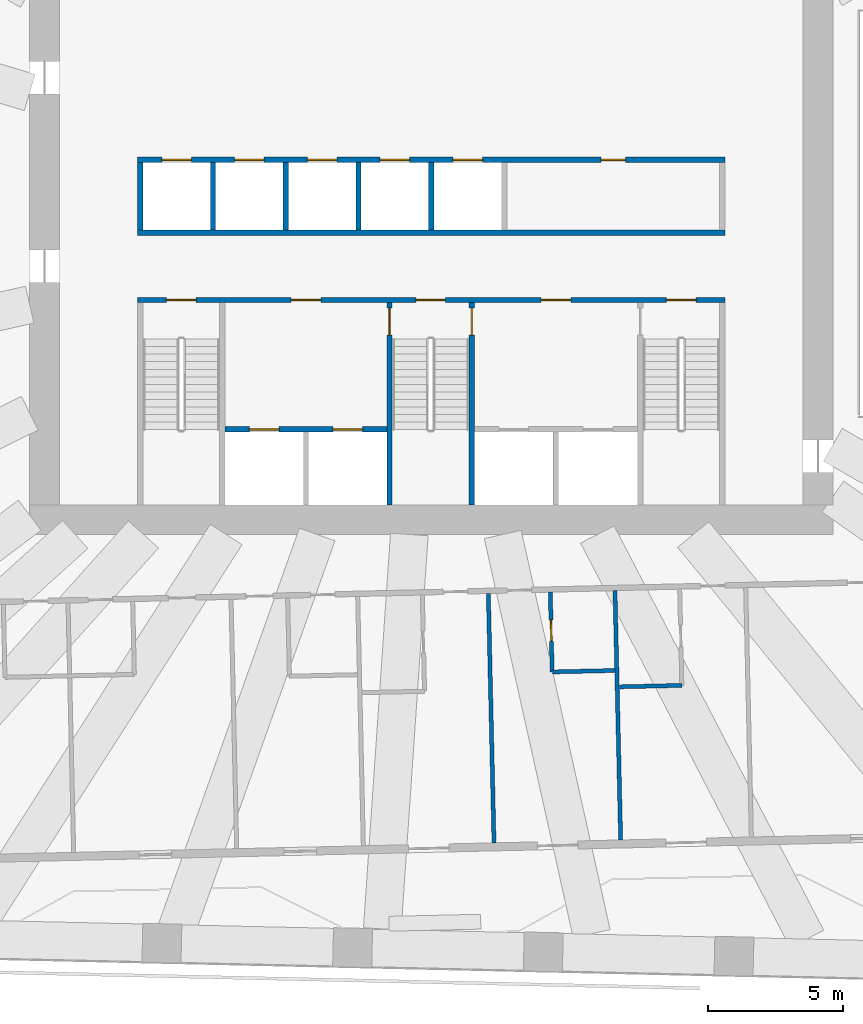
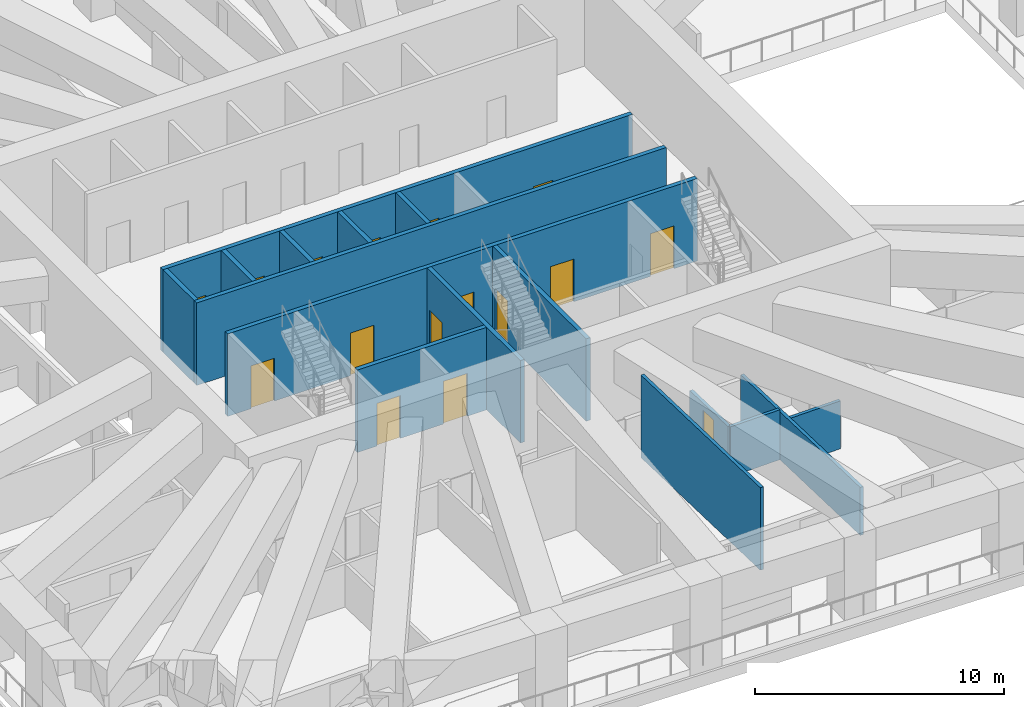
# One storey, part 11 of 20: 16 doors, 16 walls, 16 openings.
"""IFC4 building model written with IfcOpenShell, lengths in metres."""

from ifc_helpers import new_model, si_unit, direction, frame, frame_2d, origin, place, context, subcontext, project, spatial, rectangle, extrude, material, layer, layer_set, type_object, element, fill, save


model = new_model("IFC4")

# Units and contexts
model_context = context("Model", 3, precision=1e-05, world=origin(), true_north=direction((0.0, 1.0)))
body_context = subcontext(model_context, "Body", "Model", "MODEL_VIEW")
ifc_project = project(units=[si_unit("LENGTHUNIT", "METRE"), si_unit("AREAUNIT", "SQUARE_METRE"), si_unit("VOLUMEUNIT", "CUBIC_METRE"), si_unit("PLANEANGLEUNIT", "RADIAN"), si_unit("MASSUNIT", "GRAM", prefix="KILO")], contexts=[model_context])

# Site, building, storey
site_placement = place(None, origin())
site = spatial("IfcSite", under=ifc_project, at=site_placement, CompositionType="ELEMENT")
building_placement = place(site_placement, origin())
building = spatial("IfcBuilding", under=site, at=building_placement, Name="Mangrove Gate Tower", CompositionType="ELEMENT")
storey_placement = place(building_placement, frame((0.0, 0.0, 74.699951171875)))
storey = spatial("IfcBuildingStorey", under=building, at=storey_placement, Name="L18", CompositionType="ELEMENT", Elevation=74.699951171875)

# Wall
ifc_material_1 = material(Name="Concrete C70/85", Category="concrete")
ifc_layer_1 = layer(ifc_material_1, 0.199951171875)
ifc_layer_set_1 = layer_set([ifc_layer_1], Name="Core shaft wall 200 C70/85")
wall_type_1 = type_object("IfcWallType", Name="Core shaft wall 200 C70/85", PredefinedType="SHEAR", material=ifc_layer_set_1)
wall_1_placement = place(storey_placement, frame((-10.89990234375, -0.699951171875, 0.0), z_axis=(0.0, 0.0, 1.0), x_axis=(1.0, 0.0, 0.0)))
element("IfcWall", 1, at=wall_1_placement, inside=storey, type_object=wall_type_1, Name="WALL-L18-CORE-6", PredefinedType="SHEAR", context=body_context, shape_type="SweptSolid", body=[
    extrude(rectangle(XDim=21.7998046875, YDim=0.199951171875, at=frame_2d((10.89990234375, 0.0))), origin(), (0.0, 0.0, 1.0), 4.050048828125),
])

# Wall, openings, doors
wall_2_placement = place(storey_placement, frame((-10.89990234375, 2.0, 0.0), z_axis=(0.0, 0.0, 1.0), x_axis=(1.0, 0.0, 0.0)))
wall_2 = element("IfcWall", 2, at=wall_2_placement, inside=storey, type_object=wall_type_1, Name="WALL-L18-CORE-7", PredefinedType="SHEAR", context=body_context, shape_type="SweptSolid", body=[
    extrude(rectangle(XDim=21.7998046875, YDim=0.199951171875, at=frame_2d((10.89990234375, 0.0))), origin(), (0.0, 0.0, 1.0), 4.050048828125),
])
opening_1_placement = place(wall_2_placement, frame((0.89990234375, 0.0, 0.0)))
opening_1 = element("IfcOpeningElement", 3, at=opening_1_placement, cuts=wall_2, Name="Opening LD", PredefinedType="OPENING", context=body_context, shape_type="SweptSolid", body=[
    extrude(rectangle(XDim=1.10009765625, YDim=2.10009765625, at=frame_2d((0.550048828125, 1.050048828125))), frame((0.0, 0.10986328125, 0.0), z_axis=(0.0, -1.0, 0.0), x_axis=(1.0, 0.0, 0.0)), (0.0, 0.0, 1.0), 0.219970703125),
])
opening_2_placement = place(wall_2_placement, frame((3.60009765625, 0.0, 0.0)))
opening_2 = element("IfcOpeningElement", 4, at=opening_2_placement, cuts=wall_2, Name="Opening LD", PredefinedType="OPENING", context=body_context, shape_type="SweptSolid", body=[
    extrude(rectangle(XDim=1.10009765625, YDim=2.10009765625, at=frame_2d((0.550048828125, 1.050048828125))), frame((0.0, 0.10986328125, 0.0), z_axis=(0.0, -1.0, 0.0), x_axis=(1.0, 0.0, 0.0)), (0.0, 0.0, 1.0), 0.219970703125),
])
opening_3_placement = place(wall_2_placement, frame((6.300048828125, 0.0, 0.0)))
opening_3 = element("IfcOpeningElement", 5, at=opening_3_placement, cuts=wall_2, Name="Opening LD", PredefinedType="OPENING", context=body_context, shape_type="SweptSolid", body=[
    extrude(rectangle(XDim=1.10009765625, YDim=2.10009765625, at=frame_2d((0.550048828125, 1.050048828125))), frame((0.0, 0.10986328125, 0.0), z_axis=(0.0, -1.0, 0.0), x_axis=(1.0, 0.0, 0.0)), (0.0, 0.0, 1.0), 0.219970703125),
])
opening_4_placement = place(wall_2_placement, frame((9.0, 0.0, 0.0)))
opening_4 = element("IfcOpeningElement", 6, at=opening_4_placement, cuts=wall_2, Name="Opening LD", PredefinedType="OPENING", context=body_context, shape_type="SweptSolid", body=[
    extrude(rectangle(XDim=1.10009765625, YDim=2.10009765625, at=frame_2d((0.550048828125, 1.050048828125))), frame((0.0, 0.10986328125, 0.0), z_axis=(0.0, -1.0, 0.0), x_axis=(1.0, 0.0, 0.0)), (0.0, 0.0, 1.0), 0.219970703125),
])
opening_5_placement = place(wall_2_placement, frame((11.699951171875, 0.0, 0.0)))
opening_5 = element("IfcOpeningElement", 7, at=opening_5_placement, cuts=wall_2, Name="Opening LD", PredefinedType="OPENING", context=body_context, shape_type="SweptSolid", body=[
    extrude(rectangle(XDim=1.10009765625, YDim=2.10009765625, at=frame_2d((0.550048828125, 1.050048828125))), frame((0.0, 0.10986328125, 0.0), z_axis=(0.0, -1.0, 0.0), x_axis=(1.0, 0.0, 0.0)), (0.0, 0.0, 1.0), 0.219970703125),
])
opening_6_placement = place(wall_2_placement, frame((17.199951171875, 0.0, 0.0)))
opening_6 = element("IfcOpeningElement", 8, at=opening_6_placement, cuts=wall_2, Name="Opening KD", PredefinedType="OPENING", context=body_context, shape_type="SweptSolid", body=[
    extrude(rectangle(XDim=0.89990234375, YDim=2.10009765625, at=frame_2d((0.449951171875, 1.050048828125))), frame((0.0, 0.10986328125, 0.0), z_axis=(0.0, -1.0, 0.0), x_axis=(1.0, 0.0, 0.0)), (0.0, 0.0, 1.0), 0.219970703125),
])
ifc_material_2 = material(Name="Fire-rated steel door set", Category="steel")
door_type_1 = type_object("IfcDoorType", Name="Core room door FD30S 900x2100", OperationType="SINGLE_SWING_RIGHT", PredefinedType="DOOR", material=ifc_material_2)
door_1_placement = place(opening_6_placement, origin())
door_1 = element("IfcDoor", 9, at=door_1_placement, inside=storey, type_object=door_type_1, Name="Core room door Core WC", OperationType="SINGLE_SWING_RIGHT", OverallHeight=2.10009765625, OverallWidth=0.89990234375, PredefinedType="DOOR", context=body_context, shape_type="SweptSolid", body=[
    extrude(rectangle(XDim=0.89990234375, YDim=2.10009765625, at=frame_2d((0.449951171875, 1.050048828125))), frame((0.0, 0.02490234375, 0.0), z_axis=(0.0, -1.0, 0.0), x_axis=(1.0, 0.0, 0.0)), (0.0, 0.0, 1.0), 0.050048828125),
])
fill(opening_6, door_1)
ifc_material_3 = material(Name="Stainless steel 316", Category="steel")
door_type_2 = type_object("IfcDoorType", Name="Lift landing door 1100x2100", OperationType="SLIDING_TO_LEFT", PredefinedType="DOOR", material=ifc_material_3)
door_2_placement = place(opening_1_placement, origin())
door_2 = element("IfcDoor", 10, at=door_2_placement, inside=storey, type_object=door_type_2, Name="Landing door LD P01", OperationType="SLIDING_TO_LEFT", OverallHeight=2.10009765625, OverallWidth=1.10009765625, PredefinedType="DOOR", context=body_context, shape_type="SweptSolid", body=[
    extrude(rectangle(XDim=1.10009765625, YDim=2.10009765625, at=frame_2d((0.550048828125, 1.050048828125))), frame((0.0, 0.02490234375, 0.0), z_axis=(0.0, -1.0, 0.0), x_axis=(1.0, 0.0, 0.0)), (0.0, 0.0, 1.0), 0.050048828125),
])
fill(opening_1, door_2)
door_3_placement = place(opening_2_placement, origin())
door_3 = element("IfcDoor", 11, at=door_3_placement, inside=storey, type_object=door_type_2, Name="Landing door LD P02", OperationType="SLIDING_TO_LEFT", OverallHeight=2.10009765625, OverallWidth=1.10009765625, PredefinedType="DOOR", context=body_context, shape_type="SweptSolid", body=[
    extrude(rectangle(XDim=1.10009765625, YDim=2.10009765625, at=frame_2d((0.550048828125, 1.050048828125))), frame((0.0, 0.02490234375, 0.0), z_axis=(0.0, -1.0, 0.0), x_axis=(1.0, 0.0, 0.0)), (0.0, 0.0, 1.0), 0.050048828125),
])
fill(opening_2, door_3)
door_4_placement = place(opening_3_placement, origin())
door_4 = element("IfcDoor", 12, at=door_4_placement, inside=storey, type_object=door_type_2, Name="Landing door LD P03", OperationType="SLIDING_TO_LEFT", OverallHeight=2.10009765625, OverallWidth=1.10009765625, PredefinedType="DOOR", context=body_context, shape_type="SweptSolid", body=[
    extrude(rectangle(XDim=1.10009765625, YDim=2.10009765625, at=frame_2d((0.550048828125, 1.050048828125))), frame((0.0, 0.02490234375, 0.0), z_axis=(0.0, -1.0, 0.0), x_axis=(1.0, 0.0, 0.0)), (0.0, 0.0, 1.0), 0.050048828125),
])
fill(opening_3, door_4)
door_5_placement = place(opening_4_placement, origin())
door_5 = element("IfcDoor", 13, at=door_5_placement, inside=storey, type_object=door_type_2, Name="Landing door LD P04", OperationType="SLIDING_TO_LEFT", OverallHeight=2.10009765625, OverallWidth=1.10009765625, PredefinedType="DOOR", context=body_context, shape_type="SweptSolid", body=[
    extrude(rectangle(XDim=1.10009765625, YDim=2.10009765625, at=frame_2d((0.550048828125, 1.050048828125))), frame((0.0, 0.02490234375, 0.0), z_axis=(0.0, -1.0, 0.0), x_axis=(1.0, 0.0, 0.0)), (0.0, 0.0, 1.0), 0.050048828125),
])
fill(opening_4, door_5)
door_6_placement = place(opening_5_placement, origin())
door_6 = element("IfcDoor", 14, at=door_6_placement, inside=storey, type_object=door_type_2, Name="Landing door LD P05", OperationType="SLIDING_TO_LEFT", OverallHeight=2.10009765625, OverallWidth=1.10009765625, PredefinedType="DOOR", context=body_context, shape_type="SweptSolid", body=[
    extrude(rectangle(XDim=1.10009765625, YDim=2.10009765625, at=frame_2d((0.550048828125, 1.050048828125))), frame((0.0, 0.02490234375, 0.0), z_axis=(0.0, -1.0, 0.0), x_axis=(1.0, 0.0, 0.0)), (0.0, 0.0, 1.0), 0.050048828125),
])
fill(opening_5, door_6)

wall_3_placement = place(storey_placement, frame((-7.64990234375, -8.0, 0.0), z_axis=(0.0, 0.0, 1.0), x_axis=(1.0, 0.0, 0.0)))
wall_3 = element("IfcWall", 15, at=wall_3_placement, inside=storey, type_object=wall_type_1, Name="WALL-L18-CORE-15", PredefinedType="SHEAR", context=body_context, shape_type="SweptSolid", body=[
    extrude(rectangle(XDim=6.0, YDim=0.199951171875, at=frame_2d((3.0, 0.0))), origin(), (0.0, 0.0, 1.0), 4.050048828125),
])
opening_7_placement = place(wall_3_placement, frame((0.89990234375, 0.0, 0.0)))
opening_7 = element("IfcOpeningElement", 16, at=opening_7_placement, cuts=wall_3, Name="Opening LD", PredefinedType="OPENING", context=body_context, shape_type="SweptSolid", body=[
    extrude(rectangle(XDim=1.10009765625, YDim=2.10009765625, at=frame_2d((0.550048828125, 1.050048828125))), frame((0.0, 0.10986328125, 0.0), z_axis=(0.0, -1.0, 0.0), x_axis=(1.0, 0.0, 0.0)), (0.0, 0.0, 1.0), 0.219970703125),
])
opening_8_placement = place(wall_3_placement, frame((4.0, 0.0, 0.0)))
opening_8 = element("IfcOpeningElement", 17, at=opening_8_placement, cuts=wall_3, Name="Opening LD", PredefinedType="OPENING", context=body_context, shape_type="SweptSolid", body=[
    extrude(rectangle(XDim=1.10009765625, YDim=2.10009765625, at=frame_2d((0.550048828125, 1.050048828125))), frame((0.0, 0.10986328125, 0.0), z_axis=(0.0, -1.0, 0.0), x_axis=(1.0, 0.0, 0.0)), (0.0, 0.0, 1.0), 0.219970703125),
])
door_7_placement = place(opening_7_placement, origin())
door_7 = element("IfcDoor", 18, at=door_7_placement, inside=storey, type_object=door_type_2, Name="Landing door LD SVL1", OperationType="SLIDING_TO_LEFT", OverallHeight=2.10009765625, OverallWidth=1.10009765625, PredefinedType="DOOR", context=body_context, shape_type="SweptSolid", body=[
    extrude(rectangle(XDim=1.10009765625, YDim=2.10009765625, at=frame_2d((0.550048828125, 1.050048828125))), frame((0.0, 0.02490234375, 0.0), z_axis=(0.0, -1.0, 0.0), x_axis=(1.0, 0.0, 0.0)), (0.0, 0.0, 1.0), 0.050048828125),
])
fill(opening_7, door_7)
door_8_placement = place(opening_8_placement, origin())
door_8 = element("IfcDoor", 19, at=door_8_placement, inside=storey, type_object=door_type_2, Name="Landing door LD SVL2", OperationType="SLIDING_TO_LEFT", OverallHeight=2.10009765625, OverallWidth=1.10009765625, PredefinedType="DOOR", context=body_context, shape_type="SweptSolid", body=[
    extrude(rectangle(XDim=1.10009765625, YDim=2.10009765625, at=frame_2d((0.550048828125, 1.050048828125))), frame((0.0, 0.02490234375, 0.0), z_axis=(0.0, -1.0, 0.0), x_axis=(1.0, 0.0, 0.0)), (0.0, 0.0, 1.0), 0.050048828125),
])
fill(opening_8, door_8)

# Walls
for number, where, z_axis, x_axis, name in (
    (20, (-10.800048828125, -0.60009765625, 0.0), (0.0, 0.0, 1.0), (0.0, 1.0, 0.0), "WALL-L18-CORE-19"),
    (21, (-8.10009765625, -0.60009765625, 0.0), (0.0, 0.0, 1.0), (0.0, 1.0, 0.0), "WALL-L18-CORE-20"),
    (22, (-5.39990234375, -0.60009765625, 0.0), (0.0, 0.0, 1.0), (0.0, 1.0, 0.0), "WALL-L18-CORE-21"),
    (23, (-2.699951171875, -0.60009765625, 0.0), (0.0, 0.0, 1.0), (0.0, 1.0, 0.0), "WALL-L18-CORE-22"),
    (24, (0.0, -0.60009765625, 0.0), (0.0, 0.0, 1.0), (0.0, 1.0, 0.0), "WALL-L18-CORE-23"),
):
    element("IfcWall", number, at=place(storey_placement, frame(where, z_axis=z_axis, x_axis=x_axis)), inside=storey, type_object=wall_type_1, Name=name, PredefinedType="SHEAR", context=body_context, shape_type="SweptSolid", body=[
        extrude(rectangle(XDim=2.5, YDim=0.199951171875, at=frame_2d((1.25, 0.0))), origin(), (0.0, 0.0, 1.0), 4.050048828125),
    ])

# Wall, openings, doors
ifc_material_4 = material(Name="Concrete C70/85", Category="concrete")
ifc_layer_2 = layer(ifc_material_4, 0.199951171875)
ifc_layer_set_2 = layer_set([ifc_layer_2], Name="Core stair wall 200 C70/85")
wall_type_2 = type_object("IfcWallType", Name="Core stair wall 200 C70/85", PredefinedType="SHEAR", material=ifc_layer_set_2)
wall_4_placement = place(storey_placement, frame((-10.89990234375, -3.199951171875, 0.0), z_axis=(0.0, 0.0, 1.0), x_axis=(1.0, 0.0, 0.0)))
wall_4 = element("IfcWall", 25, at=wall_4_placement, inside=storey, type_object=wall_type_2, Name="WALL-L18-CORE-5", PredefinedType="SHEAR", context=body_context, shape_type="SweptSolid", body=[
    extrude(rectangle(XDim=21.7998046875, YDim=0.199951171875, at=frame_2d((10.89990234375, 0.0))), origin(), (0.0, 0.0, 1.0), 4.050048828125),
])
opening_9_placement = place(wall_4_placement, frame((1.074951171875, 0.0, 0.0)))
opening_9 = element("IfcOpeningElement", 26, at=opening_9_placement, cuts=wall_4, Name="Opening STD11", PredefinedType="OPENING", context=body_context, shape_type="SweptSolid", body=[
    extrude(rectangle(XDim=1.10009765625, YDim=2.10009765625, at=frame_2d((0.550048828125, 1.050048828125))), frame((0.0, 0.10986328125, 0.0), z_axis=(0.0, -1.0, 0.0), x_axis=(1.0, 0.0, 0.0)), (0.0, 0.0, 1.0), 0.219970703125),
])
opening_10_placement = place(wall_4_placement, frame((10.324951171875, 0.0, 0.0)))
opening_10 = element("IfcOpeningElement", 27, at=opening_10_placement, cuts=wall_4, Name="Opening STD11", PredefinedType="OPENING", context=body_context, shape_type="SweptSolid", body=[
    extrude(rectangle(XDim=1.10009765625, YDim=2.10009765625, at=frame_2d((0.550048828125, 1.050048828125))), frame((0.0, 0.10986328125, 0.0), z_axis=(0.0, -1.0, 0.0), x_axis=(1.0, 0.0, 0.0)), (0.0, 0.0, 1.0), 0.219970703125),
])
opening_11_placement = place(wall_4_placement, frame((19.625, 0.0, 0.0)))
opening_11 = element("IfcOpeningElement", 28, at=opening_11_placement, cuts=wall_4, Name="Opening STD11", PredefinedType="OPENING", context=body_context, shape_type="SweptSolid", body=[
    extrude(rectangle(XDim=1.10009765625, YDim=2.10009765625, at=frame_2d((0.550048828125, 1.050048828125))), frame((0.0, 0.10986328125, 0.0), z_axis=(0.0, -1.0, 0.0), x_axis=(1.0, 0.0, 0.0)), (0.0, 0.0, 1.0), 0.219970703125),
])
opening_12_placement = place(wall_4_placement, frame((5.699951171875, 0.0, 0.0)))
opening_12 = element("IfcOpeningElement", 29, at=opening_12_placement, cuts=wall_4, Name="Opening FL", PredefinedType="OPENING", context=body_context, shape_type="SweptSolid", body=[
    extrude(rectangle(XDim=1.10009765625, YDim=2.10009765625, at=frame_2d((0.550048828125, 1.050048828125))), frame((0.0, 0.10986328125, 0.0), z_axis=(0.0, -1.0, 0.0), x_axis=(1.0, 0.0, 0.0)), (0.0, 0.0, 1.0), 0.219970703125),
])
opening_13_placement = place(wall_4_placement, frame((14.97509765625, 0.0, 0.0)))
opening_13 = element("IfcOpeningElement", 30, at=opening_13_placement, cuts=wall_4, Name="Opening FL", PredefinedType="OPENING", context=body_context, shape_type="SweptSolid", body=[
    extrude(rectangle(XDim=1.10009765625, YDim=2.10009765625, at=frame_2d((0.550048828125, 1.050048828125))), frame((0.0, 0.10986328125, 0.0), z_axis=(0.0, -1.0, 0.0), x_axis=(1.0, 0.0, 0.0)), (0.0, 0.0, 1.0), 0.219970703125),
])
ifc_material_5 = material(Name="Fire-rated steel door set", Category="steel")
door_type_3 = type_object("IfcDoorType", Name="Lobby door FD60 1100x2100", OperationType="SINGLE_SWING_LEFT", PredefinedType="DOOR", material=ifc_material_5)
door_9_placement = place(opening_12_placement, origin())
door_9 = element("IfcDoor", 31, at=door_9_placement, inside=storey, type_object=door_type_3, Name="Lobby door service lobby", OperationType="SINGLE_SWING_LEFT", OverallHeight=2.10009765625, OverallWidth=1.10009765625, PredefinedType="DOOR", context=body_context, shape_type="SweptSolid", body=[
    extrude(rectangle(XDim=1.10009765625, YDim=2.10009765625, at=frame_2d((0.550048828125, 1.050048828125))), frame((0.0, 0.02490234375, 0.0), z_axis=(0.0, -1.0, 0.0), x_axis=(1.0, 0.0, 0.0)), (0.0, 0.0, 1.0), 0.050048828125),
])
fill(opening_12, door_9)
door_10_placement = place(opening_13_placement, origin())
door_10 = element("IfcDoor", 32, at=door_10_placement, inside=storey, type_object=door_type_3, Name="Lobby door fire-fighting lobby", OperationType="SINGLE_SWING_LEFT", OverallHeight=2.10009765625, OverallWidth=1.10009765625, PredefinedType="DOOR", context=body_context, shape_type="SweptSolid", body=[
    extrude(rectangle(XDim=1.10009765625, YDim=2.10009765625, at=frame_2d((0.550048828125, 1.050048828125))), frame((0.0, 0.02490234375, 0.0), z_axis=(0.0, -1.0, 0.0), x_axis=(1.0, 0.0, 0.0)), (0.0, 0.0, 1.0), 0.050048828125),
])
fill(opening_13, door_10)
ifc_material_6 = material(Name="Fire-rated steel door set", Category="steel")
door_type_4 = type_object("IfcDoorType", Name="Stair door FD60 1100x2100", OperationType="SINGLE_SWING_RIGHT", PredefinedType="DOOR", material=ifc_material_6)
door_11_placement = place(opening_9_placement, origin())
door_11 = element("IfcDoor", 33, at=door_11_placement, inside=storey, type_object=door_type_4, Name="Stair door Stair 1", OperationType="SINGLE_SWING_RIGHT", OverallHeight=2.10009765625, OverallWidth=1.10009765625, PredefinedType="DOOR", context=body_context, shape_type="SweptSolid", body=[
    extrude(rectangle(XDim=1.10009765625, YDim=2.10009765625, at=frame_2d((0.550048828125, 1.050048828125))), frame((0.0, 0.02490234375, 0.0), z_axis=(0.0, -1.0, 0.0), x_axis=(1.0, 0.0, 0.0)), (0.0, 0.0, 1.0), 0.050048828125),
])
fill(opening_9, door_11)
door_12_placement = place(opening_10_placement, origin())
door_12 = element("IfcDoor", 34, at=door_12_placement, inside=storey, type_object=door_type_4, Name="Stair door Stair 2", OperationType="SINGLE_SWING_RIGHT", OverallHeight=2.10009765625, OverallWidth=1.10009765625, PredefinedType="DOOR", context=body_context, shape_type="SweptSolid", body=[
    extrude(rectangle(XDim=1.10009765625, YDim=2.10009765625, at=frame_2d((0.550048828125, 1.050048828125))), frame((0.0, 0.02490234375, 0.0), z_axis=(0.0, -1.0, 0.0), x_axis=(1.0, 0.0, 0.0)), (0.0, 0.0, 1.0), 0.050048828125),
])
fill(opening_10, door_12)
door_13_placement = place(opening_11_placement, origin())
door_13 = element("IfcDoor", 35, at=door_13_placement, inside=storey, type_object=door_type_4, Name="Stair door Stair 3", OperationType="SINGLE_SWING_RIGHT", OverallHeight=2.10009765625, OverallWidth=1.10009765625, PredefinedType="DOOR", context=body_context, shape_type="SweptSolid", body=[
    extrude(rectangle(XDim=1.10009765625, YDim=2.10009765625, at=frame_2d((0.550048828125, 1.050048828125))), frame((0.0, 0.02490234375, 0.0), z_axis=(0.0, -1.0, 0.0), x_axis=(1.0, 0.0, 0.0)), (0.0, 0.0, 1.0), 0.050048828125),
])
fill(opening_11, door_13)

# Wall, opening, door
wall_5_placement = place(storey_placement, frame((-1.550048828125, -10.800048828125, 0.0), z_axis=(0.0, 0.0, 1.0), x_axis=(0.0, 1.0, 0.0)))
wall_5 = element("IfcWall", 36, at=wall_5_placement, inside=storey, type_object=wall_type_2, Name="WALL-L18-CORE-11", PredefinedType="SHEAR", context=body_context, shape_type="SweptSolid", body=[
    extrude(rectangle(XDim=7.5, YDim=0.199951171875, at=frame_2d((3.75, 0.0))), origin(), (0.0, 0.0, 1.0), 4.050048828125),
])
opening_14_placement = place(wall_5_placement, frame((6.300048828125, 0.0, 0.0)))
opening_14 = element("IfcOpeningElement", 37, at=opening_14_placement, cuts=wall_5, Name="Opening STD10", PredefinedType="OPENING", context=body_context, shape_type="SweptSolid", body=[
    extrude(rectangle(XDim=1.0, YDim=2.10009765625, at=frame_2d((0.5, 1.050048828125))), frame((0.0, 0.10986328125, 0.0), z_axis=(0.0, -1.0, 0.0), x_axis=(1.0, 0.0, 0.0)), (0.0, 0.0, 1.0), 0.219970703125),
])
ifc_material_7 = material(Name="Fire-rated steel door set", Category="steel")
door_type_5 = type_object("IfcDoorType", Name="Stair door FD60 1000x2100", OperationType="SINGLE_SWING_RIGHT", PredefinedType="DOOR", material=ifc_material_7)
door_14_placement = place(opening_14_placement, origin())
door_14 = element("IfcDoor", 38, at=door_14_placement, inside=storey, type_object=door_type_5, Name="Stair door Stair 2 from service lobby", OperationType="SINGLE_SWING_RIGHT", OverallHeight=2.10009765625, OverallWidth=1.0, PredefinedType="DOOR", context=body_context, shape_type="SweptSolid", body=[
    extrude(rectangle(XDim=1.0, YDim=2.10009765625, at=frame_2d((0.5, 1.050048828125))), frame((0.0, 0.02490234375, 0.0), z_axis=(0.0, -1.0, 0.0), x_axis=(1.0, 0.0, 0.0)), (0.0, 0.0, 1.0), 0.050048828125),
])
fill(opening_14, door_14)

wall_6_placement = place(storey_placement, frame((1.5, -10.800048828125, 0.0), z_axis=(0.0, 0.0, 1.0), x_axis=(0.0, 1.0, 0.0)))
wall_6 = element("IfcWall", 39, at=wall_6_placement, inside=storey, type_object=wall_type_2, Name="WALL-L18-CORE-12", PredefinedType="SHEAR", context=body_context, shape_type="SweptSolid", body=[
    extrude(rectangle(XDim=7.5, YDim=0.199951171875, at=frame_2d((3.75, 0.0))), origin(), (0.0, 0.0, 1.0), 4.050048828125),
])
opening_15_placement = place(wall_6_placement, frame((6.300048828125, 0.0, 0.0)))
opening_15 = element("IfcOpeningElement", 40, at=opening_15_placement, cuts=wall_6, Name="Opening STD10", PredefinedType="OPENING", context=body_context, shape_type="SweptSolid", body=[
    extrude(rectangle(XDim=1.0, YDim=2.10009765625, at=frame_2d((0.5, 1.050048828125))), frame((0.0, 0.10986328125, 0.0), z_axis=(0.0, -1.0, 0.0), x_axis=(1.0, 0.0, 0.0)), (0.0, 0.0, 1.0), 0.219970703125),
])
door_15_placement = place(opening_15_placement, origin())
door_15 = element("IfcDoor", 41, at=door_15_placement, inside=storey, type_object=door_type_5, Name="Stair door Stair 2 from fire-fighting lobby", OperationType="SINGLE_SWING_RIGHT", OverallHeight=2.10009765625, OverallWidth=1.0, PredefinedType="DOOR", context=body_context, shape_type="SweptSolid", body=[
    extrude(rectangle(XDim=1.0, YDim=2.10009765625, at=frame_2d((0.5, 1.050048828125))), frame((0.0, 0.02490234375, 0.0), z_axis=(0.0, -1.0, 0.0), x_axis=(1.0, 0.0, 0.0)), (0.0, 0.0, 1.0), 0.050048828125),
])
fill(opening_15, door_15)

# Walls
ifc_material_8 = material(Name="Gypsum board on steel stud, EI 60", Category="steel")
ifc_layer_3 = layer(ifc_material_8, 0.14990234375)
ifc_layer_set_3 = layer_set([ifc_layer_3], Name="Party wall 150 EI 60")
wall_type_3 = type_object("IfcWallType", Name="Party wall 150 EI 60", PredefinedType="PARTITIONING", material=ifc_layer_set_3)
wall_7_placement = place(storey_placement, frame((2.326904296875, -23.340087890625, 0.0), z_axis=(0.0, 0.0, 1.0), x_axis=(-0.022697424684, 0.999742380272, 0.0)))
element("IfcWall", 42, at=wall_7_placement, inside=storey, type_object=wall_type_3, Name="WALL-L18-004", PredefinedType="PARTITIONING", context=body_context, shape_type="SweptSolid", body=[
    extrude(rectangle(XDim=9.25048828125, YDim=0.14990234375, at=frame_2d((4.625244140625, 0.0))), origin(), (0.0, 0.0, 1.0), 4.050048828125),
])
wall_8_placement = place(storey_placement, frame((7.02587890625, -23.23388671875, 0.0), z_axis=(0.0, 0.0, 1.0), x_axis=(-0.022698023584, 0.999742366675, 0.0)))
element("IfcWall", 43, at=wall_8_placement, inside=storey, type_object=wall_type_3, Name="WALL-L18-005", PredefinedType="PARTITIONING", context=body_context, shape_type="SweptSolid", body=[
    extrude(rectangle(XDim=9.250244140625, YDim=0.14990234375, at=frame_2d((4.625, 0.0))), origin(), (0.0, 0.0, 1.0), 2.35009765625),
])
wall_9_placement = place(storey_placement, frame((6.97607421875, -17.552978515625, 0.0), z_axis=(0.0, 0.0, 1.0), x_axis=(0.999740260747, 0.02279059109, 0.0)))
element("IfcWall", 44, at=wall_9_placement, inside=storey, type_object=wall_type_3, Name="WALL-L18-010", PredefinedType="PARTITIONING", context=body_context, shape_type="SweptSolid", body=[
    extrude(rectangle(XDim=2.324462890625, YDim=0.14990234375, at=frame_2d((1.162109375, 0.0))), origin(), (0.0, 0.0, 1.0), 2.35009765625),
])

# Wall, opening, door
wall_10_placement = place(storey_placement, frame((4.48388671875, -16.9990234375, 0.0), z_axis=(0.0, 0.0, 1.0), x_axis=(-0.022601485787, 0.999744553794, 0.0)))
wall_10 = element("IfcWall", 45, at=wall_10_placement, inside=storey, type_object=wall_type_3, Name="WALL-L18-012", PredefinedType="PARTITIONING", context=body_context, shape_type="SweptSolid", body=[
    extrude(rectangle(XDim=2.959716796875, YDim=0.14990234375, at=frame_2d((1.47998046875, 0.0))), origin(), (0.0, 0.0, 1.0), 2.449951171875),
])
opening_16_placement = place(wall_10_placement, frame((1.1298828125, 0.0, 0.0)))
opening_16 = element("IfcOpeningElement", 46, at=opening_16_placement, cuts=wall_10, Name="Opening ED", PredefinedType="OPENING", context=body_context, shape_type="SweptSolid", body=[
    extrude(rectangle(XDim=0.800048828125, YDim=2.10009765625, at=frame_2d((0.39990234375, 1.050048828125))), frame((0.0, 0.0849609375, 0.0), z_axis=(0.0, -1.0, 0.0), x_axis=(1.0, 0.0, 0.0)), (0.0, 0.0, 1.0), 0.169921875),
])
ifc_material_9 = material(Name="Timber door leaf", Category="wood")
door_type_6 = type_object("IfcDoorType", Name="En-suite door 800", OperationType="SINGLE_SWING_LEFT", PredefinedType="DOOR", material=ifc_material_9)
door_16_placement = place(opening_16_placement, origin())
door_16 = element("IfcDoor", 47, at=door_16_placement, inside=storey, type_object=door_type_6, Name="DOOR-L18-ENS-c102", OperationType="SINGLE_SWING_RIGHT", OverallHeight=2.10009765625, OverallWidth=0.800048828125, PredefinedType="DOOR", context=body_context, shape_type="SweptSolid", body=[
    extrude(rectangle(XDim=0.800048828125, YDim=2.10009765625, at=frame_2d((0.39990234375, 1.050048828125))), frame((0.0, 0.02490234375, 0.0), z_axis=(0.0, -1.0, 0.0), x_axis=(1.0, 0.0, 0.0)), (0.0, 0.0, 1.0), 0.050048828125),
])
fill(opening_16, door_16)

# Wall
wall_11_placement = place(storey_placement, frame((4.488037109375, -16.9990234375, 0.0), z_axis=(0.0, 0.0, 1.0), x_axis=(0.999749744571, 0.022370700241, 0.0)))
element("IfcWall", 48, at=wall_11_placement, inside=storey, type_object=wall_type_3, Name="WALL-L18-013", PredefinedType="PARTITIONING", context=body_context, shape_type="SweptSolid", body=[
    extrude(rectangle(XDim=2.324462890625, YDim=0.14990234375, at=frame_2d((1.162109375, 0.0))), origin(), (0.0, 0.0, 1.0), 2.449951171875),
])

save(model, "model.ifc")
